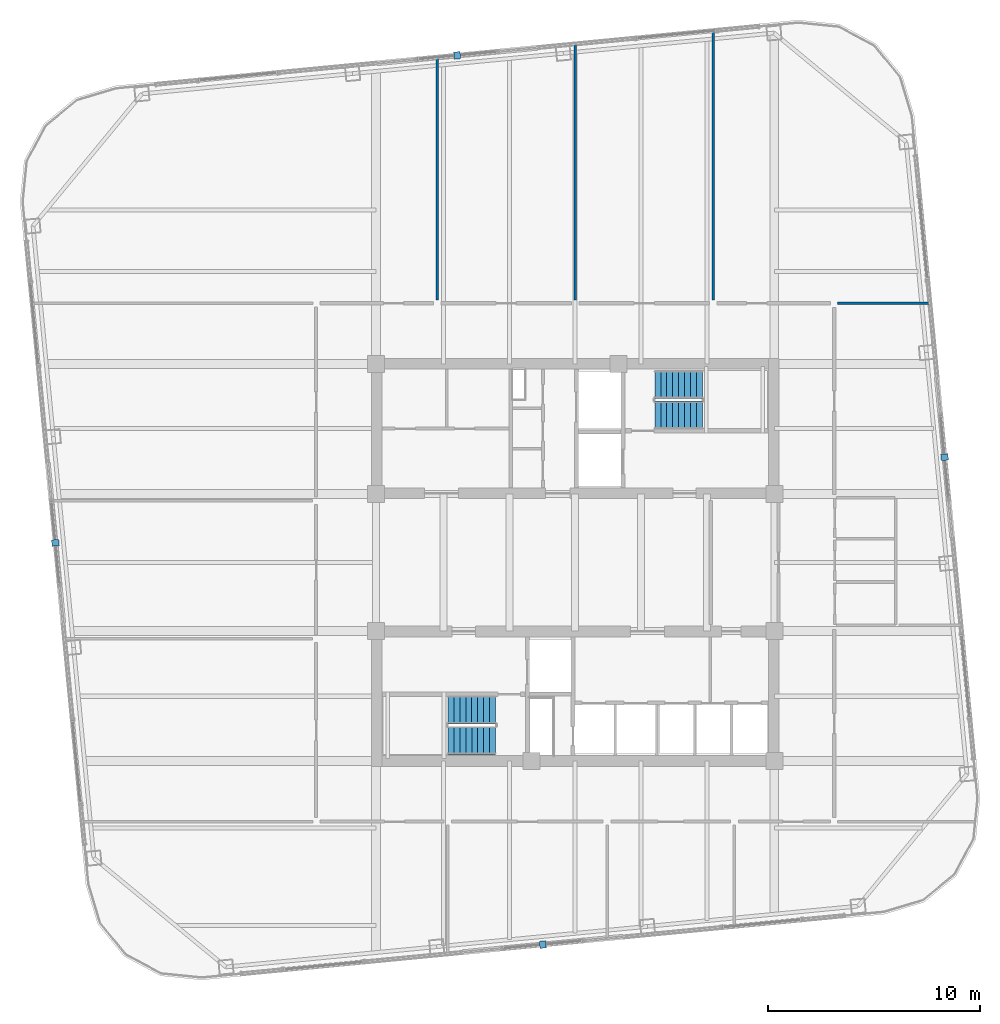
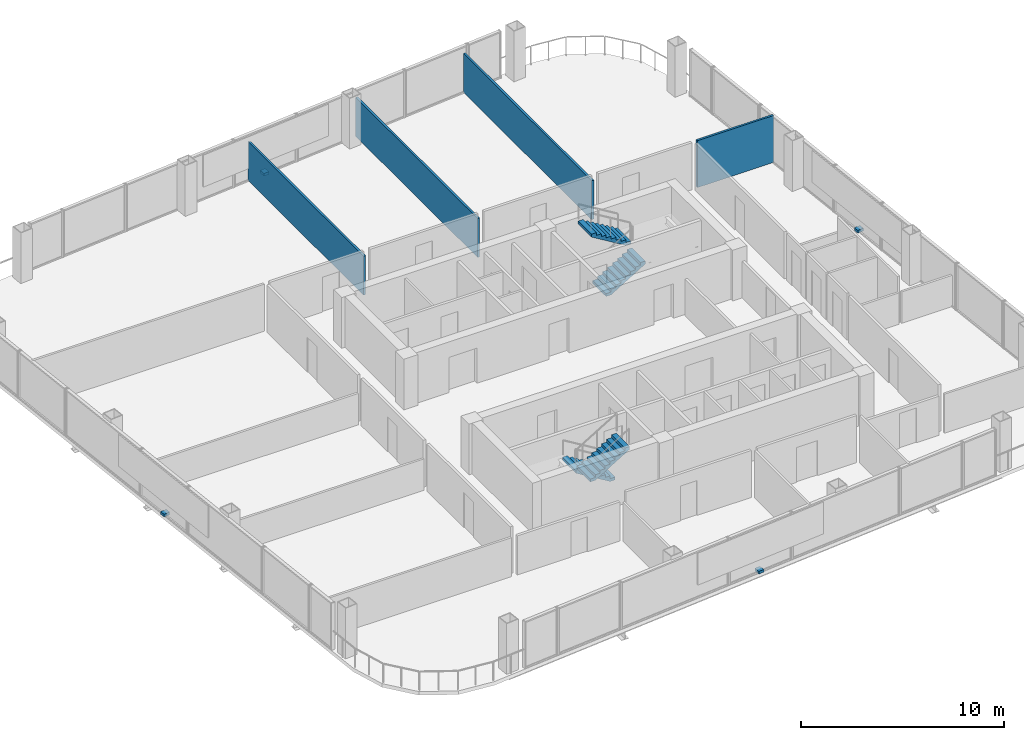
# One storey, part 19 of 22: 4 discrete accessories, 4 stair flights, 4 walls, 2 elements without a shape of their own.
"""IFC4 building model written with IfcOpenShell, lengths in metres."""

from ifc_helpers import new_model, si_unit, direction, frame, frame_2d, origin, origin_2d, place, context, subcontext, project, spatial, polyline, rectangle, outline, extrude, material, layer, layer_set, type_object, element, aggregate, save


model = new_model("IFC4")

# Units and contexts
model_context = context("Model", 3, precision=1e-05, world=origin(), true_north=direction((0.0, 1.0)))
body_context = subcontext(model_context, "Body", "Model", "MODEL_VIEW")
ifc_project = project(units=[si_unit("LENGTHUNIT", "METRE"), si_unit("AREAUNIT", "SQUARE_METRE"), si_unit("VOLUMEUNIT", "CUBIC_METRE"), si_unit("PLANEANGLEUNIT", "RADIAN"), si_unit("MASSUNIT", "GRAM", prefix="KILO")], contexts=[model_context])

# Site, building, storey
site_placement = place(None, origin())
site = spatial("IfcSite", under=ifc_project, at=site_placement, CompositionType="ELEMENT")
building_placement = place(site_placement, origin())
building = spatial("IfcBuilding", under=site, at=building_placement, Name="Qhalaya Broadcast Tower", CompositionType="ELEMENT")
storey_placement = place(building_placement, frame((0.0, 0.0, 174.449951171875)))
storey = spatial("IfcBuildingStorey", under=building, at=storey_placement, Name="L51", CompositionType="ELEMENT", Elevation=174.449951171875)

# Walls
ifc_material_1 = material(Name="Gypsum Acoustic Partition")
ifc_layer = layer(ifc_material_1, 0.1201171875, Name="Gypsum Acoustic Partition")
ifc_layer_set = layer_set([ifc_layer], Name="Gypsum Acoustic Partition")
wall_type = type_object("IfcWallType", Name="Office, Booth & Sanitary Partition 120", PredefinedType="PARTITIONING", material=ifc_layer_set)
wall_1_placement = place(storey_placement, frame((12.340087890625, 12.800048828125, 0.0), z_axis=(0.0, 0.0, 1.0), x_axis=(1.0, 0.0, 0.0)))
element("IfcWall", 1, at=wall_1_placement, inside=storey, type_object=wall_type, Name="L51 Partition Wall W-BNDE1", PredefinedType="PARTITIONING", context=body_context, shape_type="SweptSolid", body=[
    extrude(rectangle(XDim=4.35546875, YDim=0.1201171875, at=frame_2d((2.177734375, 0.0))), origin(), (0.0, 0.0, 1.0), 2.830078125),
])
wall_2_placement = place(storey_placement, frame((-6.5, 12.9599609375, 0.0), z_axis=(0.0, 0.0, 1.0), x_axis=(0.0, 1.0, 0.0)))
element("IfcWall", 2, at=wall_2_placement, inside=storey, type_object=wall_type, Name="L51 Partition Wall W-DIVN1", PredefinedType="PARTITIONING", context=body_context, shape_type="SweptSolid", body=[
    extrude(rectangle(XDim=11.422119140625, YDim=0.1201171875, at=frame_2d((5.7109375, 0.0))), origin(), (0.0, 0.0, 1.0), 2.34716796875),
])
wall_3_placement = place(storey_placement, frame((0.0, 12.9599609375, 0.0), z_axis=(0.0, 0.0, 1.0), x_axis=(0.0, 1.0, 0.0)))
element("IfcWall", 3, at=wall_3_placement, inside=storey, type_object=wall_type, Name="L51 Partition Wall W-DIVN2", PredefinedType="PARTITIONING", context=body_context, shape_type="SweptSolid", body=[
    extrude(rectangle(XDim=12.048095703125, YDim=0.1201171875, at=frame_2d((6.02392578125, 0.0))), origin(), (0.0, 0.0, 1.0), 2.34716796875),
])
wall_4_placement = place(storey_placement, frame((6.5, 12.9599609375, 0.0), z_axis=(0.0, 0.0, 1.0), x_axis=(0.0, 1.0, 0.0)))
element("IfcWall", 4, at=wall_4_placement, inside=storey, type_object=wall_type, Name="L51 Partition Wall W-DIVN3", PredefinedType="PARTITIONING", context=body_context, shape_type="SweptSolid", body=[
    extrude(rectangle(XDim=12.674072265625, YDim=0.1201171875, at=frame_2d((6.3369140625, 0.0))), origin(), (0.0, 0.0, 1.0), 2.34716796875),
])

# Stair, stair flights
ifc_material_2 = material(Name="Concrete C40/50", Category="concrete")
stair_type = type_object("IfcStairType", Name="Protected Dogleg Core Stair 3150", PredefinedType="TWO_STRAIGHT_RUN_STAIR", material=ifc_material_2)
stair_1_placement = place(storey_placement, origin())
stair_1 = element("IfcStair", 5, at=stair_1_placement, inside=storey, type_object=stair_type, Name="L51 North Core Exit Stair ST-1", PredefinedType="TWO_STRAIGHT_RUN_STAIR")
ifc_material_3 = material(Name="Precast Concrete C40/50", Category="concrete")
stair_flight_type = type_object("IfcStairFlightType", Name="Precast Concrete Stair Flight 3150", PredefinedType="STRAIGHT", material=ifc_material_3)
stair_flight_1_placement = place(storey_placement, frame((3.75, 7.5400390625, 0.0), z_axis=(0.0, 0.0, 1.0), x_axis=(1.0, 0.0, 0.0)))
stair_flight_1 = element("IfcStairFlight", 6, at=stair_flight_1_placement, type_object=stair_flight_type, Name="ST-1 flight 1", NumberOfRisers=9, NumberOfTreads=8, PredefinedType="STRAIGHT", RiserHeight=0.169444444, TreadLength=0.28, context=body_context, shape_type="SweptSolid", body=[
    extrude(outline(polyline([(0.0, 0.0), (0.0, 0.16943359375), (0.280029296875, 0.16943359375), (0.280029296875, 0.3388671875), (0.56005859375, 0.3388671875), (0.56005859375, 0.50830078125), (0.840087890625, 0.50830078125), (0.840087890625, 0.677734375), (1.1201171875, 0.677734375), (1.1201171875, 0.84716796875), (1.39990234375, 0.84716796875), (1.39990234375, 1.0166015625), (1.679931640625, 1.0166015625), (1.679931640625, 1.18603515625), (1.9599609375, 1.18603515625), (1.9599609375, 1.35546875), (2.239990234375, 1.35546875), (2.239990234375, 1.52490234375), (2.239990234375, 1.180419921875), (0.28955078125, 0.0), (0.0, 0.0)])), frame((0.0, 0.66015625, 0.0), z_axis=(0.0, -1.0, 0.0), x_axis=(1.0, 0.0, 0.0)), (0.0, 0.0, 1.0), 1.320068359375),
])
stair_flight_2_placement = place(storey_placement, frame((5.989990234375, 8.97998046875, 1.525146484375), z_axis=(0.0, 0.0, 1.0), x_axis=(-1.0, 0.0, 0.0)))
stair_flight_2 = element("IfcStairFlight", 7, at=stair_flight_2_placement, type_object=stair_flight_type, Name="ST-1 flight 2", NumberOfRisers=9, NumberOfTreads=8, PredefinedType="STRAIGHT", RiserHeight=0.169444444, TreadLength=0.28, context=body_context, shape_type="SweptSolid", body=[
    extrude(outline(polyline([(0.0, 0.0), (0.0, 0.16943359375), (0.280029296875, 0.16943359375), (0.280029296875, 0.3388671875), (0.56005859375, 0.3388671875), (0.56005859375, 0.50830078125), (0.840087890625, 0.50830078125), (0.840087890625, 0.677734375), (1.1201171875, 0.677734375), (1.1201171875, 0.84716796875), (1.39990234375, 0.84716796875), (1.39990234375, 1.0166015625), (1.679931640625, 1.0166015625), (1.679931640625, 1.18603515625), (1.9599609375, 1.18603515625), (1.9599609375, 1.35546875), (2.239990234375, 1.35546875), (2.239990234375, 1.52490234375), (2.239990234375, 1.180419921875), (0.28955078125, 0.0), (0.0, 0.0)])), frame((0.0, 0.66015625, 0.0), z_axis=(0.0, -1.0, 0.0), x_axis=(1.0, 0.0, 0.0)), (0.0, 0.0, 1.0), 1.320068359375),
])
aggregate(stair_1, [stair_flight_1, stair_flight_2])

stair_2_placement = place(storey_placement, origin())
stair_2 = element("IfcStair", 8, at=stair_2_placement, inside=storey, type_object=stair_type, Name="L51 South Core Exit Stair ST-2", PredefinedType="TWO_STRAIGHT_RUN_STAIR")
stair_flight_3_placement = place(storey_placement, frame((-3.75, -6.340087890625, 0.0), z_axis=(0.0, 0.0, 1.0), x_axis=(-1.0, 0.0, 0.0)))
stair_flight_3 = element("IfcStairFlight", 9, at=stair_flight_3_placement, type_object=stair_flight_type, Name="ST-2 flight 1", NumberOfRisers=9, NumberOfTreads=8, PredefinedType="STRAIGHT", RiserHeight=0.169444444, TreadLength=0.28, context=body_context, shape_type="SweptSolid", body=[
    extrude(outline(polyline([(0.0, 0.0), (0.0, 0.16943359375), (0.280029296875, 0.16943359375), (0.280029296875, 0.3388671875), (0.56005859375, 0.3388671875), (0.56005859375, 0.50830078125), (0.840087890625, 0.50830078125), (0.840087890625, 0.677734375), (1.1201171875, 0.677734375), (1.1201171875, 0.84716796875), (1.39990234375, 0.84716796875), (1.39990234375, 1.0166015625), (1.679931640625, 1.0166015625), (1.679931640625, 1.18603515625), (1.9599609375, 1.18603515625), (1.9599609375, 1.35546875), (2.239990234375, 1.35546875), (2.239990234375, 1.52490234375), (2.239990234375, 1.180419921875), (0.28955078125, 0.0), (0.0, 0.0)])), frame((0.0, 0.66015625, 0.0), z_axis=(0.0, -1.0, 0.0), x_axis=(1.0, 0.0, 0.0)), (0.0, 0.0, 1.0), 1.320068359375),
])
stair_flight_4_placement = place(storey_placement, frame((-5.989990234375, -7.780029296875, 1.525146484375), z_axis=(0.0, 0.0, 1.0), x_axis=(1.0, 0.0, 0.0)))
stair_flight_4 = element("IfcStairFlight", 10, at=stair_flight_4_placement, type_object=stair_flight_type, Name="ST-2 flight 2", NumberOfRisers=9, NumberOfTreads=8, PredefinedType="STRAIGHT", RiserHeight=0.169444444, TreadLength=0.28, context=body_context, shape_type="SweptSolid", body=[
    extrude(outline(polyline([(0.0, 0.0), (0.0, 0.16943359375), (0.280029296875, 0.16943359375), (0.280029296875, 0.3388671875), (0.56005859375, 0.3388671875), (0.56005859375, 0.50830078125), (0.840087890625, 0.50830078125), (0.840087890625, 0.677734375), (1.1201171875, 0.677734375), (1.1201171875, 0.84716796875), (1.39990234375, 0.84716796875), (1.39990234375, 1.0166015625), (1.679931640625, 1.0166015625), (1.679931640625, 1.18603515625), (1.9599609375, 1.18603515625), (1.9599609375, 1.35546875), (2.239990234375, 1.35546875), (2.239990234375, 1.52490234375), (2.239990234375, 1.180419921875), (0.28955078125, 0.0), (0.0, 0.0)])), frame((0.0, 0.66015625, 0.0), z_axis=(0.0, -1.0, 0.0), x_axis=(1.0, 0.0, 0.0)), (0.0, 0.0, 1.0), 1.320068359375),
])
aggregate(stair_2, [stair_flight_3, stair_flight_4])

# Discrete accessories
ifc_material_4 = material(Name="Structural Steel ASTM A572 Grade 50", Category="steel")
discrete_accessory_type = type_object("IfcDiscreteAccessoryType", Name="Facade Baguette Support Bracket BRK-01", PredefinedType="BRACKET", material=ifc_material_4)
for number, where, z_axis, x_axis, name in (
    (11, (-1.5244140625, -17.393310546875, 0.0), (0.0, 0.0, 1.0), (0.995396198367, 0.09584575252, 0.0), "L51 Baguette Support Bracket S"),
    (12, (17.393310546875, 5.5556640625, 0.0), (0.0, 0.0, 1.0), (-0.09584575252, 0.995396198367, 0.0), "L51 Baguette Support Bracket E"),
    (13, (-5.5556640625, 24.47314453125, 0.0), (0.0, 0.0, 1.0), (-0.995396198367, -0.09584575252, 0.0), "L51 Baguette Support Bracket N"),
    (14, (-24.47314453125, 1.5244140625, 0.0), (0.0, 0.0, 1.0), (0.09584575252, -0.995396198367, 0.0), "L51 Baguette Support Bracket W"),
):
    element("IfcDiscreteAccessory", number, at=place(storey_placement, frame(where, z_axis=z_axis, x_axis=x_axis)), inside=storey, type_object=discrete_accessory_type, Name=name, PredefinedType="BRACKET", context=body_context, shape_type="SweptSolid", body=[
        extrude(rectangle(XDim=0.300048828125, YDim=0.340087890625, at=origin_2d()), origin(), (0.0, 0.0, 1.0), 0.159912109375),
    ])

save(model, "model.ifc")
